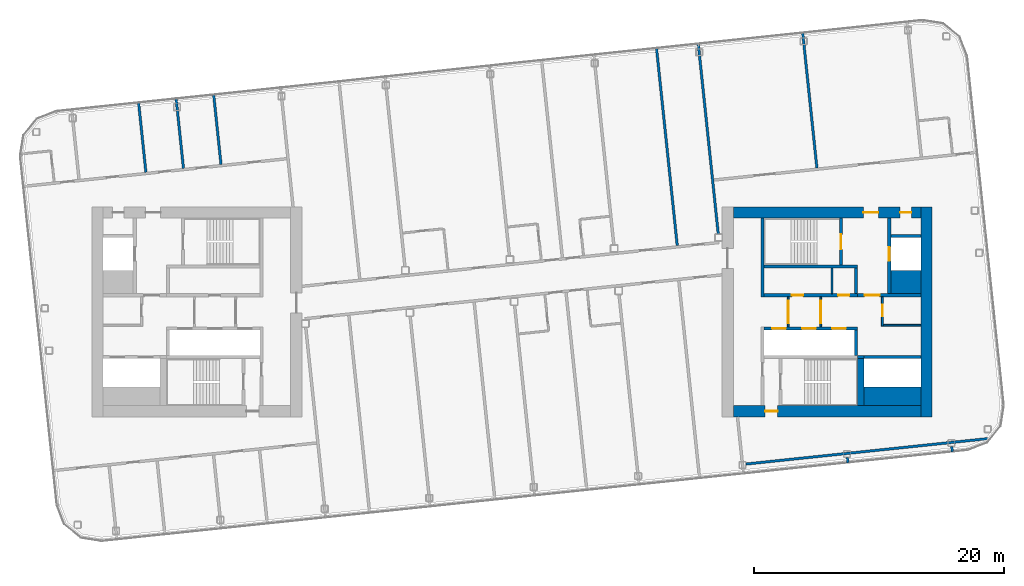
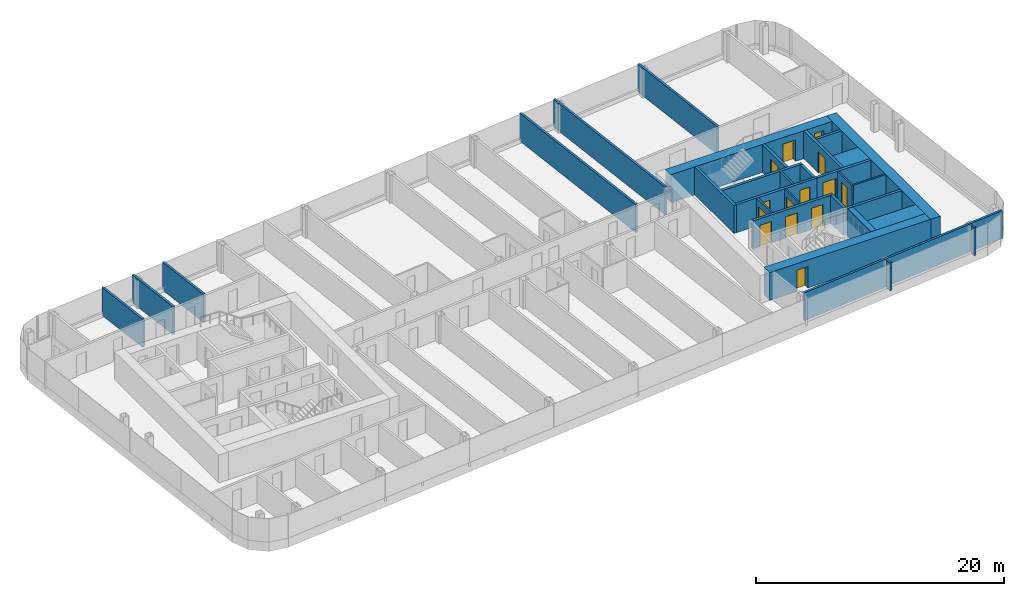
# One storey, part 17 of 27: 32 walls, 14 doors, 14 openings.
"""IFC4 building model written with IfcOpenShell, lengths in metres."""

from ifc_helpers import new_model, si_unit, direction, frame, frame_2d, origin, place, context, subcontext, project, spatial, rectangle, extrude, material, layer, layer_set, type_object, element, fill, save


model = new_model("IFC4")

# Units and contexts
model_context = context("Model", 3, precision=1e-05, world=origin(), true_north=direction((0.0, 1.0)))
body_context = subcontext(model_context, "Body", "Model", "MODEL_VIEW")
ifc_project = project(units=[si_unit("LENGTHUNIT", "METRE"), si_unit("AREAUNIT", "SQUARE_METRE"), si_unit("VOLUMEUNIT", "CUBIC_METRE"), si_unit("PLANEANGLEUNIT", "RADIAN"), si_unit("MASSUNIT", "GRAM", prefix="KILO")], contexts=[model_context])

# Site, building, storey
site_placement = place(None, origin())
site = spatial("IfcSite", under=ifc_project, at=site_placement, CompositionType="ELEMENT")
building_placement = place(site_placement, origin())
building = spatial("IfcBuilding", under=site, at=building_placement, Name="Hakoniwa Tower and Hamabe Station Hall", CompositionType="ELEMENT")
storey_placement = place(building_placement, frame((0.0, 0.0, 261.39990234375)))
storey = spatial("IfcBuildingStorey", under=building, at=storey_placement, Name="L74", CompositionType="ELEMENT", Elevation=261.39990234375)

# Wall, opening, door
ifc_material_1 = material(Name="Gypsum board partition")
ifc_layer_1 = layer(ifc_material_1, 0.14990234375)
ifc_layer_set_1 = layer_set([ifc_layer_1], Name="CORE PARTITION 150 EI 60")
wall_type_1 = type_object("IfcWallType", Name="CORE PARTITION 150 EI 60", PredefinedType="PARTITIONING", material=ifc_layer_set_1)
wall_1_placement = place(storey_placement, frame((22.10009765625, -1.199951171875, 0.0), z_axis=(0.0, 0.0, 1.0), x_axis=(0.0, 1.0, 0.0)))
wall_1 = element("IfcWall", 1, at=wall_1_placement, inside=storey, type_object=wall_type_1, Name="Core partition PL0 east", PredefinedType="PARTITIONING", context=body_context, shape_type="SweptSolid", body=[
    extrude(rectangle(XDim=2.39990234375, YDim=0.14990234375, at=frame_2d((1.199951171875, 0.0))), origin(), (0.0, 0.0, 1.0), 2.75),
])
opening_1_placement = place(wall_1_placement, frame((0.300048828125, 0.0, 0.0)))
opening_1 = element("IfcOpeningElement", 2, at=opening_1_placement, cuts=wall_1, Name="Opening CD-E-LP0-18", PredefinedType="OPENING", context=body_context, shape_type="SweptSolid", body=[
    extrude(rectangle(XDim=1.800048828125, YDim=2.10009765625, at=frame_2d((0.89990234375, 1.050048828125))), frame((0.0, 0.0849609375, 0.0), z_axis=(0.0, -1.0, 0.0), x_axis=(1.0, 0.0, 0.0)), (0.0, 0.0, 1.0), 0.169921875),
])
ifc_material_2 = material(Name="Steel fire door", Category="steel")
door_type_1 = type_object("IfcDoorType", Name="CORE DOOR 1800 FD60", OperationType="DOUBLE_DOOR_SINGLE_SWING", PredefinedType="DOOR", material=ifc_material_2)
door_1_placement = place(opening_1_placement, origin())
door_1 = element("IfcDoor", 3, at=door_1_placement, inside=storey, type_object=door_type_1, Name="Lift lobby partition door", OperationType="DOUBLE_DOOR_SINGLE_SWING", OverallHeight=2.10009765625, OverallWidth=1.800048828125, PredefinedType="DOOR", context=body_context, shape_type="SweptSolid", body=[
    extrude(rectangle(XDim=1.800048828125, YDim=2.10009765625, at=frame_2d((0.89990234375, 1.050048828125))), frame((0.0, 0.02490234375, 0.0), z_axis=(0.0, -1.0, 0.0), x_axis=(1.0, 0.0, 0.0)), (0.0, 0.0, 1.0), 0.050048828125),
])
fill(opening_1, door_1)

wall_2_placement = place(storey_placement, frame((24.699951171875, -1.199951171875, 0.0), z_axis=(0.0, 0.0, 1.0), x_axis=(0.0, 1.0, 0.0)))
wall_2 = element("IfcWall", 4, at=wall_2_placement, inside=storey, type_object=wall_type_1, Name="Core partition PL1 east", PredefinedType="PARTITIONING", context=body_context, shape_type="SweptSolid", body=[
    extrude(rectangle(XDim=2.39990234375, YDim=0.14990234375, at=frame_2d((1.199951171875, 0.0))), origin(), (0.0, 0.0, 1.0), 2.75),
])
opening_2_placement = place(wall_2_placement, frame((0.300048828125, 0.0, 0.0)))
opening_2 = element("IfcOpeningElement", 5, at=opening_2_placement, cuts=wall_2, Name="Opening CD-E-LP1-18", PredefinedType="OPENING", context=body_context, shape_type="SweptSolid", body=[
    extrude(rectangle(XDim=1.800048828125, YDim=2.10009765625, at=frame_2d((0.89990234375, 1.050048828125))), frame((0.0, 0.0849609375, 0.0), z_axis=(0.0, -1.0, 0.0), x_axis=(1.0, 0.0, 0.0)), (0.0, 0.0, 1.0), 0.169921875),
])
door_2_placement = place(opening_2_placement, origin())
door_2 = element("IfcDoor", 6, at=door_2_placement, inside=storey, type_object=door_type_1, Name="Lift lobby partition door", OperationType="DOUBLE_DOOR_SINGLE_SWING", OverallHeight=2.10009765625, OverallWidth=1.800048828125, PredefinedType="DOOR", context=body_context, shape_type="SweptSolid", body=[
    extrude(rectangle(XDim=1.800048828125, YDim=2.10009765625, at=frame_2d((0.89990234375, 1.050048828125))), frame((0.0, 0.02490234375, 0.0), z_axis=(0.0, -1.0, 0.0), x_axis=(1.0, 0.0, 0.0)), (0.0, 0.0, 1.0), 0.050048828125),
])
fill(opening_2, door_2)

wall_3_placement = place(storey_placement, frame((29.625, -1.14990234375, 0.0), z_axis=(0.0, 0.0, 1.0), x_axis=(0.0, 1.0, 0.0)))
wall_3 = element("IfcWall", 7, at=wall_3_placement, inside=storey, type_object=wall_type_1, Name="Core partition PW0 east", PredefinedType="PARTITIONING", context=body_context, shape_type="SweptSolid", body=[
    extrude(rectangle(XDim=2.349853515625, YDim=0.14990234375, at=frame_2d((1.1748046875, 0.0))), origin(), (0.0, 0.0, 1.0), 2.75),
])
opening_3_placement = place(wall_3_placement, frame((0.800048828125, 0.0, 0.0)))
opening_3 = element("IfcOpeningElement", 8, at=opening_3_placement, cuts=wall_3, Name="Opening CD-E-RM1-9", PredefinedType="OPENING", context=body_context, shape_type="SweptSolid", body=[
    extrude(rectangle(XDim=0.89990234375, YDim=2.10009765625, at=frame_2d((0.449951171875, 1.050048828125))), frame((0.0, 0.0849609375, 0.0), z_axis=(0.0, -1.0, 0.0), x_axis=(1.0, 0.0, 0.0)), (0.0, 0.0, 1.0), 0.169921875),
])
ifc_material_3 = material(Name="Steel fire door", Category="steel")
door_type_2 = type_object("IfcDoorType", Name="CORE DOOR 900 FD30", OperationType="NOTDEFINED", PredefinedType="DOOR", material=ifc_material_3)
door_3_placement = place(opening_3_placement, origin())
door_3 = element("IfcDoor", 9, at=door_3_placement, inside=storey, type_object=door_type_2, Name="Store room door", OperationType="SINGLE_SWING_RIGHT", OverallHeight=2.10009765625, OverallWidth=0.89990234375, PredefinedType="DOOR", context=body_context, shape_type="SweptSolid", body=[
    extrude(rectangle(XDim=0.89990234375, YDim=2.10009765625, at=frame_2d((0.449951171875, 1.050048828125))), frame((0.0, 0.02490234375, 0.0), z_axis=(0.0, -1.0, 0.0), x_axis=(1.0, 0.0, 0.0)), (0.0, 0.0, 1.0), 0.050048828125),
])
fill(opening_3, door_3)

# Walls
wall_4_placement = place(storey_placement, frame((29.699951171875, -1.074951171875, 0.0), z_axis=(0.0, 0.0, 1.0), x_axis=(1.0, 0.0, 0.0)))
element("IfcWall", 10, at=wall_4_placement, inside=storey, type_object=wall_type_1, Name="Core partition PS east", PredefinedType="PARTITIONING", context=body_context, shape_type="SweptSolid", body=[
    extrude(rectangle(XDim=3.0, YDim=0.14990234375, at=frame_2d((1.5, 0.0))), origin(), (0.0, 0.0, 1.0), 2.75),
])
wall_5_placement = place(storey_placement, frame((25.60009765625, 1.449951171875, 0.0), z_axis=(0.0, 0.0, 1.0), x_axis=(0.0, 1.0, 0.0)))
element("IfcWall", 11, at=wall_5_placement, inside=storey, type_object=wall_type_1, Name="Core partition PFLR0 east", PredefinedType="PARTITIONING", context=body_context, shape_type="SweptSolid", body=[
    extrude(rectangle(XDim=2.050048828125, YDim=0.14990234375, at=frame_2d((1.02490234375, 0.0))), origin(), (0.0, 0.0, 1.0), 2.75),
])
ifc_material_4 = material(Name="Concrete C60", Category="concrete")
ifc_layer_2 = layer(ifc_material_4, 0.89990234375)
ifc_layer_set_2 = layer_set([ifc_layer_2], Name="CORE WALL 900 C60")
wall_type_2 = type_object("IfcWallType", Name="CORE WALL 900 C60", PredefinedType="SHEAR", material=ifc_layer_set_2)
wall_6_placement = place(storey_placement, frame((33.14990234375, -8.39990234375, 0.0), z_axis=(0.0, 0.0, 1.0), x_axis=(0.0, 1.0, 0.0)))
element("IfcWall", 12, at=wall_6_placement, inside=storey, type_object=wall_type_2, Name="Core wall OUTER east", PredefinedType="SHEAR", context=body_context, shape_type="SweptSolid", body=[
    extrude(rectangle(XDim=16.7998046875, YDim=0.89990234375, at=frame_2d((8.39990234375, 0.0))), origin(), (0.0, 0.0, 1.0), 2.75),
])

# Wall, openings, doors
wall_7_placement = place(storey_placement, frame((17.699951171875, 7.949951171875, 0.0), z_axis=(0.0, 0.0, 1.0), x_axis=(1.0, 0.0, 0.0)))
wall_7 = element("IfcWall", 13, at=wall_7_placement, inside=storey, type_object=wall_type_2, Name="Core wall NORTH east", PredefinedType="SHEAR", context=body_context, shape_type="SweptSolid", body=[
    extrude(rectangle(XDim=15.0, YDim=0.89990234375, at=frame_2d((7.5, 0.0))), origin(), (0.0, 0.0, 1.0), 2.75),
])
opening_4_placement = place(wall_7_placement, frame((10.39990234375, 0.0, 0.0)))
opening_4 = element("IfcOpeningElement", 14, at=opening_4_placement, cuts=wall_7, Name="Opening CD-E-FN1-12", PredefinedType="OPENING", context=body_context, shape_type="SweptSolid", body=[
    extrude(rectangle(XDim=1.199951171875, YDim=2.10009765625, at=frame_2d((0.60009765625, 1.050048828125))), frame((0.0, 0.4599609375, 0.0), z_axis=(0.0, -1.0, 0.0), x_axis=(1.0, 0.0, 0.0)), (0.0, 0.0, 1.0), 0.919921875),
])
opening_5_placement = place(wall_7_placement, frame((13.35009765625, 0.0, 0.0)))
opening_5 = element("IfcOpeningElement", 15, at=opening_5_placement, cuts=wall_7, Name="Opening CD-E-FN2-9", PredefinedType="OPENING", context=body_context, shape_type="SweptSolid", body=[
    extrude(rectangle(XDim=0.89990234375, YDim=2.10009765625, at=frame_2d((0.449951171875, 1.050048828125))), frame((0.0, 0.4599609375, 0.0), z_axis=(0.0, -1.0, 0.0), x_axis=(1.0, 0.0, 0.0)), (0.0, 0.0, 1.0), 0.919921875),
])
ifc_material_5 = material(Name="Steel fire door", Category="steel")
door_type_3 = type_object("IfcDoorType", Name="CORE DOOR 1200 FD60", OperationType="DOUBLE_DOOR_SINGLE_SWING", PredefinedType="DOOR", material=ifc_material_5)
door_4_placement = place(opening_4_placement, origin())
door_4 = element("IfcDoor", 16, at=door_4_placement, inside=storey, type_object=door_type_3, Name="Stair vestibule door to the fire-fighting lobby", OperationType="DOUBLE_DOOR_SINGLE_SWING", OverallHeight=2.10009765625, OverallWidth=1.199951171875, PredefinedType="DOOR", context=body_context, shape_type="SweptSolid", body=[
    extrude(rectangle(XDim=1.199951171875, YDim=2.10009765625, at=frame_2d((0.60009765625, 1.050048828125))), frame((0.0, 0.02490234375, 0.0), z_axis=(0.0, -1.0, 0.0), x_axis=(1.0, 0.0, 0.0)), (0.0, 0.0, 1.0), 0.050048828125),
])
fill(opening_4, door_4)
door_5_placement = place(opening_5_placement, origin())
door_5 = element("IfcDoor", 17, at=door_5_placement, inside=storey, type_object=door_type_2, Name="Riser access door", OperationType="SINGLE_SWING_LEFT", OverallHeight=2.10009765625, OverallWidth=0.89990234375, PredefinedType="DOOR", context=body_context, shape_type="SweptSolid", body=[
    extrude(rectangle(XDim=0.89990234375, YDim=2.10009765625, at=frame_2d((0.449951171875, 1.050048828125))), frame((0.0, 0.02490234375, 0.0), z_axis=(0.0, -1.0, 0.0), x_axis=(1.0, 0.0, 0.0)), (0.0, 0.0, 1.0), 0.050048828125),
])
fill(opening_5, door_5)

# Wall, opening, door
wall_8_placement = place(storey_placement, frame((17.699951171875, -7.949951171875, 0.0), z_axis=(0.0, 0.0, 1.0), x_axis=(1.0, 0.0, 0.0)))
wall_8 = element("IfcWall", 18, at=wall_8_placement, inside=storey, type_object=wall_type_2, Name="Core wall SOUTH east", PredefinedType="SHEAR", context=body_context, shape_type="SweptSolid", body=[
    extrude(rectangle(XDim=15.0, YDim=0.89990234375, at=frame_2d((7.5, 0.0))), origin(), (0.0, 0.0, 1.0), 2.75),
])
opening_6_placement = place(wall_8_placement, frame((2.550048828125, 0.0, 0.0)))
opening_6 = element("IfcOpeningElement", 19, at=opening_6_placement, cuts=wall_8, Name="Opening CD-E-FS3-10", PredefinedType="OPENING", context=body_context, shape_type="SweptSolid", body=[
    extrude(rectangle(XDim=1.0, YDim=2.10009765625, at=frame_2d((0.5, 1.050048828125))), frame((0.0, 0.4599609375, 0.0), z_axis=(0.0, -1.0, 0.0), x_axis=(1.0, 0.0, 0.0)), (0.0, 0.0, 1.0), 0.919921875),
])
ifc_material_6 = material(Name="Steel fire door", Category="steel")
door_type_4 = type_object("IfcDoorType", Name="CORE DOOR 1000 FD60", OperationType="NOTDEFINED", PredefinedType="DOOR", material=ifc_material_6)
door_6_placement = place(opening_6_placement, origin())
door_6 = element("IfcDoor", 20, at=door_6_placement, inside=storey, type_object=door_type_4, Name="Stair vestibule door", OperationType="SINGLE_SWING_RIGHT", OverallHeight=2.10009765625, OverallWidth=1.0, PredefinedType="DOOR", context=body_context, shape_type="SweptSolid", body=[
    extrude(rectangle(XDim=1.0, YDim=2.10009765625, at=frame_2d((0.5, 1.050048828125))), frame((0.0, 0.02490234375, 0.0), z_axis=(0.0, -1.0, 0.0), x_axis=(1.0, 0.0, 0.0)), (0.0, 0.0, 1.0), 0.050048828125),
])
fill(opening_6, door_6)

# Walls
ifc_material_7 = material(Name="Concrete C60", Category="concrete")
ifc_layer_3 = layer(ifc_material_7, 1.5)
ifc_layer_set_3 = layer_set([ifc_layer_3], Name="CORE WEB WALL 1500 C60")
wall_type_3 = type_object("IfcWallType", Name="CORE WEB WALL 1500 C60", PredefinedType="SHEAR", material=ifc_layer_set_3)
wall_9_placement = place(storey_placement, frame((28.14990234375, -6.75, 0.0), z_axis=(0.0, 0.0, 1.0), x_axis=(1.0, 0.0, 0.0)))
element("IfcWall", 21, at=wall_9_placement, inside=storey, type_object=wall_type_3, Name="Core wall SER east", PredefinedType="SHEAR", context=body_context, shape_type="SweptSolid", body=[
    extrude(rectangle(XDim=4.550048828125, YDim=1.5, at=frame_2d((2.27490234375, 0.0))), origin(), (0.0, 0.0, 1.0), 2.75),
])
ifc_material_8 = material(Name="Concrete C60", Category="concrete")
ifc_layer_4 = layer(ifc_material_8, 1.85009765625)
ifc_layer_set_4 = layer_set([ifc_layer_4], Name="CORE WEB WALL 1850 C60")
wall_type_4 = type_object("IfcWallType", Name="CORE WEB WALL 1850 C60", PredefinedType="SHEAR", material=ifc_layer_set_4)
wall_10_placement = place(storey_placement, frame((30.300048828125, 2.375, 0.0), z_axis=(0.0, 0.0, 1.0), x_axis=(1.0, 0.0, 0.0)))
element("IfcWall", 22, at=wall_10_placement, inside=storey, type_object=wall_type_4, Name="Core wall CA east", PredefinedType="SHEAR", context=body_context, shape_type="SweptSolid", body=[
    extrude(rectangle(XDim=2.39990234375, YDim=1.85009765625, at=frame_2d((1.199951171875, 0.0))), origin(), (0.0, 0.0, 1.0), 2.75),
])
ifc_material_9 = material(Name="Concrete C60", Category="concrete")
ifc_layer_5 = layer(ifc_material_9, 0.25)
ifc_layer_set_5 = layer_set([ifc_layer_5], Name="CORE WEB WALL 250 C60")
wall_type_5 = type_object("IfcWallType", Name="CORE WEB WALL 250 C60", PredefinedType="SHEAR", material=ifc_layer_set_5)
wall_11_placement = place(storey_placement, frame((20.02490234375, 1.199951171875, 0.0), z_axis=(0.0, 0.0, 1.0), x_axis=(0.0, 1.0, 0.0)))
element("IfcWall", 23, at=wall_11_placement, inside=storey, type_object=wall_type_5, Name="Core wall W1N east", PredefinedType="SHEAR", context=body_context, shape_type="SweptSolid", body=[
    extrude(rectangle(XDim=6.300048828125, YDim=0.25, at=frame_2d((3.14990234375, 0.0))), origin(), (0.0, 0.0, 1.0), 2.75),
])

# Wall, openings, doors
wall_12_placement = place(storey_placement, frame((20.14990234375, 1.324951171875, 0.0), z_axis=(0.0, 0.0, 1.0), x_axis=(1.0, 0.0, 0.0)))
wall_12 = element("IfcWall", 24, at=wall_12_placement, inside=storey, type_object=wall_type_5, Name="Core wall NF east", PredefinedType="SHEAR", context=body_context, shape_type="SweptSolid", body=[
    extrude(rectangle(XDim=7.5, YDim=0.25, at=frame_2d((3.75, 0.0))), origin(), (0.0, 0.0, 1.0), 2.75),
])
opening_7_placement = place(wall_12_placement, frame((2.237548828125, 0.0, 0.0)))
opening_7 = element("IfcOpeningElement", 25, at=opening_7_placement, cuts=wall_12, Name="Opening CD-E-FRLR0-9", PredefinedType="OPENING", context=body_context, shape_type="SweptSolid", body=[
    extrude(rectangle(XDim=0.89990234375, YDim=2.10009765625, at=frame_2d((0.449951171875, 1.050048828125))), frame((0.0, 0.135009765625, 0.0), z_axis=(0.0, -1.0, 0.0), x_axis=(1.0, 0.0, 0.0)), (0.0, 0.0, 1.0), 0.27001953125),
])
opening_8_placement = place(wall_12_placement, frame((5.9375, 0.0, 0.0)))
opening_8 = element("IfcOpeningElement", 26, at=opening_8_placement, cuts=wall_12, Name="Opening CD-E-FRLR1-9", PredefinedType="OPENING", context=body_context, shape_type="SweptSolid", body=[
    extrude(rectangle(XDim=0.89990234375, YDim=2.10009765625, at=frame_2d((0.449951171875, 1.050048828125))), frame((0.0, 0.135009765625, 0.0), z_axis=(0.0, -1.0, 0.0), x_axis=(1.0, 0.0, 0.0)), (0.0, 0.0, 1.0), 0.27001953125),
])
door_7_placement = place(opening_7_placement, origin())
door_7 = element("IfcDoor", 27, at=door_7_placement, inside=storey, type_object=door_type_2, Name="Store room door", OperationType="SINGLE_SWING_RIGHT", OverallHeight=2.10009765625, OverallWidth=0.89990234375, PredefinedType="DOOR", context=body_context, shape_type="SweptSolid", body=[
    extrude(rectangle(XDim=0.89990234375, YDim=2.10009765625, at=frame_2d((0.449951171875, 1.050048828125))), frame((0.0, 0.02490234375, 0.0), z_axis=(0.0, -1.0, 0.0), x_axis=(1.0, 0.0, 0.0)), (0.0, 0.0, 1.0), 0.050048828125),
])
fill(opening_7, door_7)
door_8_placement = place(opening_8_placement, origin())
door_8 = element("IfcDoor", 28, at=door_8_placement, inside=storey, type_object=door_type_2, Name="Store room door", OperationType="SINGLE_SWING_LEFT", OverallHeight=2.10009765625, OverallWidth=0.89990234375, PredefinedType="DOOR", context=body_context, shape_type="SweptSolid", body=[
    extrude(rectangle(XDim=0.89990234375, YDim=2.10009765625, at=frame_2d((0.449951171875, 1.050048828125))), frame((0.0, 0.02490234375, 0.0), z_axis=(0.0, -1.0, 0.0), x_axis=(1.0, 0.0, 0.0)), (0.0, 0.0, 1.0), 0.050048828125),
])
fill(opening_8, door_8)

# Walls
wall_13_placement = place(storey_placement, frame((27.52490234375, 1.449951171875, 0.0), z_axis=(0.0, 0.0, 1.0), x_axis=(0.0, 1.0, 0.0)))
element("IfcWall", 29, at=wall_13_placement, inside=storey, type_object=wall_type_5, Name="Core wall NE east", PredefinedType="SHEAR", context=body_context, shape_type="SweptSolid", body=[
    extrude(rectangle(XDim=2.050048828125, YDim=0.25, at=frame_2d((1.02490234375, 0.0))), origin(), (0.0, 0.0, 1.0), 2.75),
])
wall_14_placement = place(storey_placement, frame((20.14990234375, 3.625, 0.0), z_axis=(0.0, 0.0, 1.0), x_axis=(1.0, 0.0, 0.0)))
element("IfcWall", 30, at=wall_14_placement, inside=storey, type_object=wall_type_5, Name="Core wall NR east", PredefinedType="SHEAR", context=body_context, shape_type="SweptSolid", body=[
    extrude(rectangle(XDim=7.5, YDim=0.25, at=frame_2d((3.75, 0.0))), origin(), (0.0, 0.0, 1.0), 2.75),
])

# Wall, opening, door
wall_15_placement = place(storey_placement, frame((26.324951171875, 3.75, 0.0), z_axis=(0.0, 0.0, 1.0), x_axis=(0.0, 1.0, 0.0)))
wall_15 = element("IfcWall", 31, at=wall_15_placement, inside=storey, type_object=wall_type_5, Name="Core wall NSE east", PredefinedType="SHEAR", context=body_context, shape_type="SweptSolid", body=[
    extrude(rectangle(XDim=3.75, YDim=0.25, at=frame_2d((1.875, 0.0))), origin(), (0.0, 0.0, 1.0), 2.75),
])
opening_9_placement = place(wall_15_placement, frame((1.25, 0.0, 0.0)))
opening_9 = element("IfcOpeningElement", 32, at=opening_9_placement, cuts=wall_15, Name="Opening CD-E-SN-12", PredefinedType="OPENING", context=body_context, shape_type="SweptSolid", body=[
    extrude(rectangle(XDim=1.199951171875, YDim=2.10009765625, at=frame_2d((0.60009765625, 1.050048828125))), frame((0.0, 0.135009765625, 0.0), z_axis=(0.0, -1.0, 0.0), x_axis=(1.0, 0.0, 0.0)), (0.0, 0.0, 1.0), 0.27001953125),
])
door_9_placement = place(opening_9_placement, origin())
door_9 = element("IfcDoor", 33, at=door_9_placement, inside=storey, type_object=door_type_3, Name="Escape stair door", OperationType="DOUBLE_DOOR_SINGLE_SWING", OverallHeight=2.10009765625, OverallWidth=1.199951171875, PredefinedType="DOOR", context=body_context, shape_type="SweptSolid", body=[
    extrude(rectangle(XDim=1.199951171875, YDim=2.10009765625, at=frame_2d((0.60009765625, 1.050048828125))), frame((0.0, 0.02490234375, 0.0), z_axis=(0.0, -1.0, 0.0), x_axis=(1.0, 0.0, 0.0)), (0.0, 0.0, 1.0), 0.050048828125),
])
fill(opening_9, door_9)

wall_16_placement = place(storey_placement, frame((27.64990234375, 1.324951171875, 0.0), z_axis=(0.0, 0.0, 1.0), x_axis=(1.0, 0.0, 0.0)))
wall_16 = element("IfcWall", 34, at=wall_16_placement, inside=storey, type_object=wall_type_5, Name="Core wall ELN east", PredefinedType="SHEAR", context=body_context, shape_type="SweptSolid", body=[
    extrude(rectangle(XDim=5.050048828125, YDim=0.25, at=frame_2d((2.52490234375, 0.0))), origin(), (0.0, 0.0, 1.0), 2.75),
])
opening_10_placement = place(wall_16_placement, frame((0.550048828125, 0.0, 0.0)))
opening_10 = element("IfcOpeningElement", 35, at=opening_10_placement, cuts=wall_16, Name="Opening CD-E-FL-12", PredefinedType="OPENING", context=body_context, shape_type="SweptSolid", body=[
    extrude(rectangle(XDim=1.199951171875, YDim=2.10009765625, at=frame_2d((0.60009765625, 1.050048828125))), frame((0.0, 0.135009765625, 0.0), z_axis=(0.0, -1.0, 0.0), x_axis=(1.0, 0.0, 0.0)), (0.0, 0.0, 1.0), 0.27001953125),
])
door_10_placement = place(opening_10_placement, origin())
door_10 = element("IfcDoor", 36, at=door_10_placement, inside=storey, type_object=door_type_3, Name="Stair vestibule door to the fire-fighting lobby", OperationType="DOUBLE_DOOR_SINGLE_SWING", OverallHeight=2.10009765625, OverallWidth=1.199951171875, PredefinedType="DOOR", context=body_context, shape_type="SweptSolid", body=[
    extrude(rectangle(XDim=1.199951171875, YDim=2.10009765625, at=frame_2d((0.60009765625, 1.050048828125))), frame((0.0, 0.02490234375, 0.0), z_axis=(0.0, -1.0, 0.0), x_axis=(1.0, 0.0, 0.0)), (0.0, 0.0, 1.0), 0.050048828125),
])
fill(opening_10, door_10)

wall_17_placement = place(storey_placement, frame((30.175048828125, 1.449951171875, 0.0), z_axis=(0.0, 0.0, 1.0), x_axis=(0.0, 1.0, 0.0)))
wall_17 = element("IfcWall", 37, at=wall_17_placement, inside=storey, type_object=wall_type_5, Name="Core wall FFF east", PredefinedType="SHEAR", context=body_context, shape_type="SweptSolid", body=[
    extrude(rectangle(XDim=6.050048828125, YDim=0.25, at=frame_2d((3.02490234375, 0.0))), origin(), (0.0, 0.0, 1.0), 2.75),
])
opening_11_placement = place(wall_17_placement, frame((2.625, 0.0, 0.0)))
opening_11 = element("IfcOpeningElement", 38, at=opening_11_placement, cuts=wall_17, Name="Opening LD-FF2", PredefinedType="OPENING", context=body_context, shape_type="SweptSolid", body=[
    extrude(rectangle(XDim=1.10009765625, YDim=2.10009765625, at=frame_2d((0.550048828125, 1.050048828125))), frame((0.0, 0.135009765625, 0.0), z_axis=(0.0, -1.0, 0.0), x_axis=(1.0, 0.0, 0.0)), (0.0, 0.0, 1.0), 0.27001953125),
])
ifc_material_10 = material(Name="Stainless steel SUS304", Category="steel")
door_type_5 = type_object("IfcDoorType", Name="LIFT LANDING DOOR 1100 FD60", OperationType="DOUBLE_DOOR_SLIDING", PredefinedType="DOOR", material=ifc_material_10)
door_11_placement = place(opening_11_placement, origin())
door_11 = element("IfcDoor", 39, at=door_11_placement, inside=storey, type_object=door_type_5, Name="Lift landing door FF2 L74", OperationType="DOUBLE_DOOR_SLIDING", OverallHeight=2.10009765625, OverallWidth=1.10009765625, PredefinedType="DOOR", context=body_context, shape_type="SweptSolid", body=[
    extrude(rectangle(XDim=1.10009765625, YDim=2.10009765625, at=frame_2d((0.550048828125, 1.050048828125))), frame((0.0, 0.02490234375, 0.0), z_axis=(0.0, -1.0, 0.0), x_axis=(1.0, 0.0, 0.0)), (0.0, 0.0, 1.0), 0.050048828125),
])
fill(opening_11, door_11)

# Wall
wall_18_placement = place(storey_placement, frame((30.300048828125, 6.074951171875, 0.0), z_axis=(0.0, 0.0, 1.0), x_axis=(1.0, 0.0, 0.0)))
element("IfcWall", 40, at=wall_18_placement, inside=storey, type_object=wall_type_5, Name="Core wall C2 east", PredefinedType="SHEAR", context=body_context, shape_type="SweptSolid", body=[
    extrude(rectangle(XDim=2.39990234375, YDim=0.25, at=frame_2d((1.199951171875, 0.0))), origin(), (0.0, 0.0, 1.0), 2.75),
])

# Wall, openings, doors
wall_19_placement = place(storey_placement, frame((20.14990234375, -1.324951171875, 0.0), z_axis=(0.0, 0.0, 1.0), x_axis=(1.0, 0.0, 0.0)))
wall_19 = element("IfcWall", 41, at=wall_19_placement, inside=storey, type_object=wall_type_5, Name="Core wall SF east", PredefinedType="SHEAR", context=body_context, shape_type="SweptSolid", body=[
    extrude(rectangle(XDim=7.5, YDim=0.25, at=frame_2d((3.75, 0.0))), origin(), (0.0, 0.0, 1.0), 2.75),
])
opening_12_placement = place(wall_19_placement, frame((0.64990234375, 0.0, 0.0)))
opening_12 = element("IfcOpeningElement", 42, at=opening_12_placement, cuts=wall_19, Name="Opening LD-HR4", PredefinedType="OPENING", context=body_context, shape_type="SweptSolid", body=[
    extrude(rectangle(XDim=1.10009765625, YDim=2.10009765625, at=frame_2d((0.550048828125, 1.050048828125))), frame((0.0, 0.135009765625, 0.0), z_axis=(0.0, -1.0, 0.0), x_axis=(1.0, 0.0, 0.0)), (0.0, 0.0, 1.0), 0.27001953125),
])
opening_13_placement = place(wall_19_placement, frame((3.050048828125, 0.0, 0.0)))
opening_13 = element("IfcOpeningElement", 43, at=opening_13_placement, cuts=wall_19, Name="Opening LD-HR5", PredefinedType="OPENING", context=body_context, shape_type="SweptSolid", body=[
    extrude(rectangle(XDim=1.10009765625, YDim=2.10009765625, at=frame_2d((0.550048828125, 1.050048828125))), frame((0.0, 0.135009765625, 0.0), z_axis=(0.0, -1.0, 0.0), x_axis=(1.0, 0.0, 0.0)), (0.0, 0.0, 1.0), 0.27001953125),
])
opening_14_placement = place(wall_19_placement, frame((5.449951171875, 0.0, 0.0)))
opening_14 = element("IfcOpeningElement", 44, at=opening_14_placement, cuts=wall_19, Name="Opening LD-HR6", PredefinedType="OPENING", context=body_context, shape_type="SweptSolid", body=[
    extrude(rectangle(XDim=1.10009765625, YDim=2.10009765625, at=frame_2d((0.550048828125, 1.050048828125))), frame((0.0, 0.135009765625, 0.0), z_axis=(0.0, -1.0, 0.0), x_axis=(1.0, 0.0, 0.0)), (0.0, 0.0, 1.0), 0.27001953125),
])
door_12_placement = place(opening_12_placement, origin())
door_12 = element("IfcDoor", 45, at=door_12_placement, inside=storey, type_object=door_type_5, Name="Lift landing door HR4 L74", OperationType="DOUBLE_DOOR_SLIDING", OverallHeight=2.10009765625, OverallWidth=1.10009765625, PredefinedType="DOOR", context=body_context, shape_type="SweptSolid", body=[
    extrude(rectangle(XDim=1.10009765625, YDim=2.10009765625, at=frame_2d((0.550048828125, 1.050048828125))), frame((0.0, 0.02490234375, 0.0), z_axis=(0.0, -1.0, 0.0), x_axis=(1.0, 0.0, 0.0)), (0.0, 0.0, 1.0), 0.050048828125),
])
fill(opening_12, door_12)
door_13_placement = place(opening_13_placement, origin())
door_13 = element("IfcDoor", 46, at=door_13_placement, inside=storey, type_object=door_type_5, Name="Lift landing door HR5 L74", OperationType="DOUBLE_DOOR_SLIDING", OverallHeight=2.10009765625, OverallWidth=1.10009765625, PredefinedType="DOOR", context=body_context, shape_type="SweptSolid", body=[
    extrude(rectangle(XDim=1.10009765625, YDim=2.10009765625, at=frame_2d((0.550048828125, 1.050048828125))), frame((0.0, 0.02490234375, 0.0), z_axis=(0.0, -1.0, 0.0), x_axis=(1.0, 0.0, 0.0)), (0.0, 0.0, 1.0), 0.050048828125),
])
fill(opening_13, door_13)
door_14_placement = place(opening_14_placement, origin())
door_14 = element("IfcDoor", 47, at=door_14_placement, inside=storey, type_object=door_type_5, Name="Lift landing door HR6 L74", OperationType="DOUBLE_DOOR_SLIDING", OverallHeight=2.10009765625, OverallWidth=1.10009765625, PredefinedType="DOOR", context=body_context, shape_type="SweptSolid", body=[
    extrude(rectangle(XDim=1.10009765625, YDim=2.10009765625, at=frame_2d((0.550048828125, 1.050048828125))), frame((0.0, 0.02490234375, 0.0), z_axis=(0.0, -1.0, 0.0), x_axis=(1.0, 0.0, 0.0)), (0.0, 0.0, 1.0), 0.050048828125),
])
fill(opening_14, door_14)

# Walls
wall_20_placement = place(storey_placement, frame((27.52490234375, -3.5, 0.0), z_axis=(0.0, 0.0, 1.0), x_axis=(0.0, 1.0, 0.0)))
element("IfcWall", 48, at=wall_20_placement, inside=storey, type_object=wall_type_5, Name="Core wall SE east", PredefinedType="SHEAR", context=body_context, shape_type="SweptSolid", body=[
    extrude(rectangle(XDim=2.050048828125, YDim=0.25, at=frame_2d((1.02490234375, 0.0))), origin(), (0.0, 0.0, 1.0), 2.75),
])
wall_21_placement = place(storey_placement, frame((28.14990234375, -3.625, 0.0), z_axis=(0.0, 0.0, 1.0), x_axis=(1.0, 0.0, 0.0)))
element("IfcWall", 49, at=wall_21_placement, inside=storey, type_object=wall_type_5, Name="Core wall SEF east", PredefinedType="SHEAR", context=body_context, shape_type="SweptSolid", body=[
    extrude(rectangle(XDim=4.550048828125, YDim=0.25, at=frame_2d((2.27490234375, 0.0))), origin(), (0.0, 0.0, 1.0), 2.75),
])
wall_22_placement = place(storey_placement, frame((27.64990234375, -3.625, 0.0), z_axis=(0.0, 0.0, 1.0), x_axis=(1.0, 0.0, 0.0)))
element("IfcWall", 50, at=wall_22_placement, inside=storey, type_object=wall_type_5, Name="Core wall SRK east", PredefinedType="SHEAR", context=body_context, shape_type="SweptSolid", body=[
    extrude(rectangle(XDim=0.5, YDim=0.25, at=frame_2d((0.25, 0.0))), origin(), (0.0, 0.0, 1.0), 2.75),
])
ifc_material_11 = material(Name="Concrete C60", Category="concrete")
ifc_layer_6 = layer(ifc_material_11, 0.5)
ifc_layer_set_6 = layer_set([ifc_layer_6], Name="CORE WEB WALL 500 C60")
wall_type_6 = type_object("IfcWallType", Name="CORE WEB WALL 500 C60", PredefinedType="SHEAR", material=ifc_layer_set_6)
wall_23_placement = place(storey_placement, frame((27.89990234375, -7.5, 0.0), z_axis=(0.0, 0.0, 1.0), x_axis=(0.0, 1.0, 0.0)))
element("IfcWall", 51, at=wall_23_placement, inside=storey, type_object=wall_type_6, Name="Core wall SSE east", PredefinedType="SHEAR", context=body_context, shape_type="SweptSolid", body=[
    extrude(rectangle(XDim=3.75, YDim=0.5, at=frame_2d((1.875, 0.0))), origin(), (0.0, 0.0, 1.0), 2.75),
])
ifc_material_12 = material(Name="Fire-rated gypsum board partition", Category="gypsum")
ifc_layer_7 = layer(ifc_material_12, 0.199951171875)
ifc_layer_set_7 = layer_set([ifc_layer_7], Name="Corridor Wall 200")
wall_type_7 = type_object("IfcWallType", Name="Corridor Wall 200", PredefinedType="PARTITIONING", material=ifc_layer_set_7)
wall_24_placement = place(storey_placement, frame((18.708251953125, -12.17724609375, 0.0), z_axis=(0.0, 0.0, 1.0), x_axis=(0.994521604238, 0.104531233147, 0.0)))
element("IfcWall", 52, at=wall_24_placement, inside=storey, type_object=wall_type_7, Name="GW-L74-001", PredefinedType="PARTITIONING", context=body_context, shape_type="SweptSolid", body=[
    extrude(rectangle(XDim=19.6982421875, YDim=0.199951171875, at=frame_2d((9.84912109375, 0.0))), origin(), (0.0, 0.0, 1.0), 2.75),
])
ifc_material_13 = material(Name="Fire-rated gypsum board partition", Category="gypsum")
ifc_layer_8 = layer(ifc_material_13, 0.199951171875)
ifc_layer_set_8 = layer_set([ifc_layer_8], Name="Party Wall 200")
wall_type_8 = type_object("IfcWallType", Name="Party Wall 200", PredefinedType="PARTITIONING", material=ifc_layer_set_8)
for number, where, z_axis, x_axis, name in (
    (53, (-29.286376953125, 11.166015625, 0.0), (0.0, 0.0, 1.0), (-0.104517448482, 0.994523053007, 0.0), "GW-L74-018"),
    (54, (-26.28271484375, 11.481689453125, 0.0), (0.0, 0.0, 1.0), (-0.104560413987, 0.994518536693, 0.0), "GW-L74-020"),
    (55, (-23.279296875, 11.79736328125, 0.0), (0.0, 0.0, 1.0), (-0.104560413987, 0.994518536693, 0.0), "GW-L74-021"),
):
    element("IfcWall", number, at=place(storey_placement, frame(where, z_axis=z_axis, x_axis=x_axis)), inside=storey, type_object=wall_type_8, Name=name, PredefinedType="PARTITIONING", context=body_context, shape_type="SweptSolid", body=[
        extrude(rectangle(XDim=5.6201171875, YDim=0.199951171875, at=frame_2d((2.81005859375, 0.0))), origin(), (0.0, 0.0, 1.0), 2.75),
    ])
wall_25_placement = place(storey_placement, frame((13.219970703125, 5.297119140625, 0.0), z_axis=(0.0, 0.0, 1.0), x_axis=(-0.104519331095, 0.994522855156, 0.0)))
element("IfcWall", 56, at=wall_25_placement, inside=storey, type_object=wall_type_8, Name="GW-L74-042", PredefinedType="PARTITIONING", context=body_context, shape_type="SweptSolid", body=[
    extrude(rectangle(XDim=15.900146484375, YDim=0.199951171875, at=frame_2d((7.9501953125, 0.0))), origin(), (0.0, 0.0, 1.0), 2.75),
])
wall_26_placement = place(storey_placement, frame((16.499755859375, 6.23681640625, 0.0), z_axis=(0.0, 0.0, 1.0), x_axis=(-0.104523729364, 0.99452239291, 0.0)))
element("IfcWall", 57, at=wall_26_placement, inside=storey, type_object=wall_type_8, Name="GW-L74-044", PredefinedType="PARTITIONING", context=body_context, shape_type="SweptSolid", body=[
    extrude(rectangle(XDim=15.308349609375, YDim=0.199951171875, at=frame_2d((7.654296875, 0.0))), origin(), (0.0, 0.0, 1.0), 2.75),
])
wall_27_placement = place(storey_placement, frame((26.870361328125, -12.071044921875, 0.0), z_axis=(0.0, 0.0, 1.0), x_axis=(-0.104743412259, 0.994499279833, 0.0)))
element("IfcWall", 58, at=wall_27_placement, inside=storey, type_object=wall_type_8, Name="GW-L74-045", PredefinedType="PARTITIONING", context=body_context, shape_type="SweptSolid", body=[
    extrude(rectangle(XDim=0.43359375, YDim=0.199951171875, at=frame_2d((0.216796875, 0.0))), origin(), (0.0, 0.0, 1.0), 2.75),
])
wall_28_placement = place(storey_placement, frame((24.391845703125, 11.510498046875, 0.0), z_axis=(0.0, 0.0, 1.0), x_axis=(-0.104530717431, 0.994521658444, 0.0)))
element("IfcWall", 59, at=wall_28_placement, inside=storey, type_object=wall_type_8, Name="GW-L74-046", PredefinedType="PARTITIONING", context=body_context, shape_type="SweptSolid", body=[
    extrude(rectangle(XDim=10.888427734375, YDim=0.199951171875, at=frame_2d((5.4443359375, 0.0))), origin(), (0.0, 0.0, 1.0), 2.75),
])
wall_29_placement = place(storey_placement, frame((35.224365234375, -11.193115234375, 0.0), z_axis=(0.0, 0.0, 1.0), x_axis=(-0.104743412259, 0.994499279833, 0.0)))
element("IfcWall", 60, at=wall_29_placement, inside=storey, type_object=wall_type_8, Name="GW-L74-047", PredefinedType="PARTITIONING", context=body_context, shape_type="SweptSolid", body=[
    extrude(rectangle(XDim=0.43359375, YDim=0.199951171875, at=frame_2d((0.216796875, 0.0))), origin(), (0.0, 0.0, 1.0), 2.75),
])

save(model, "model.ifc")
